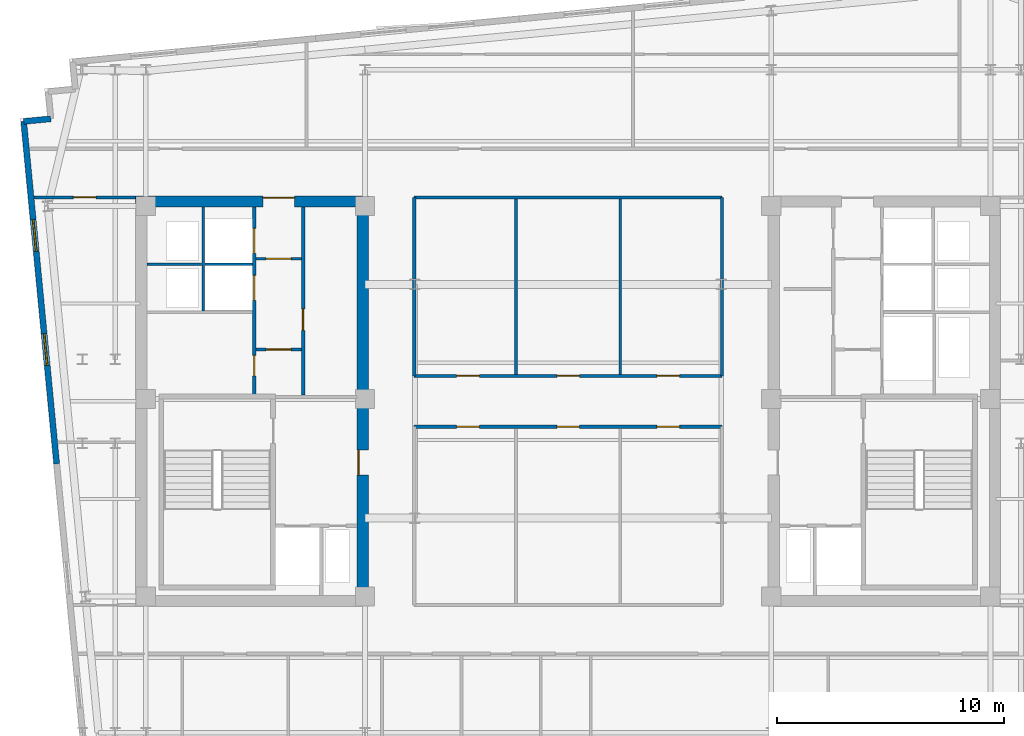
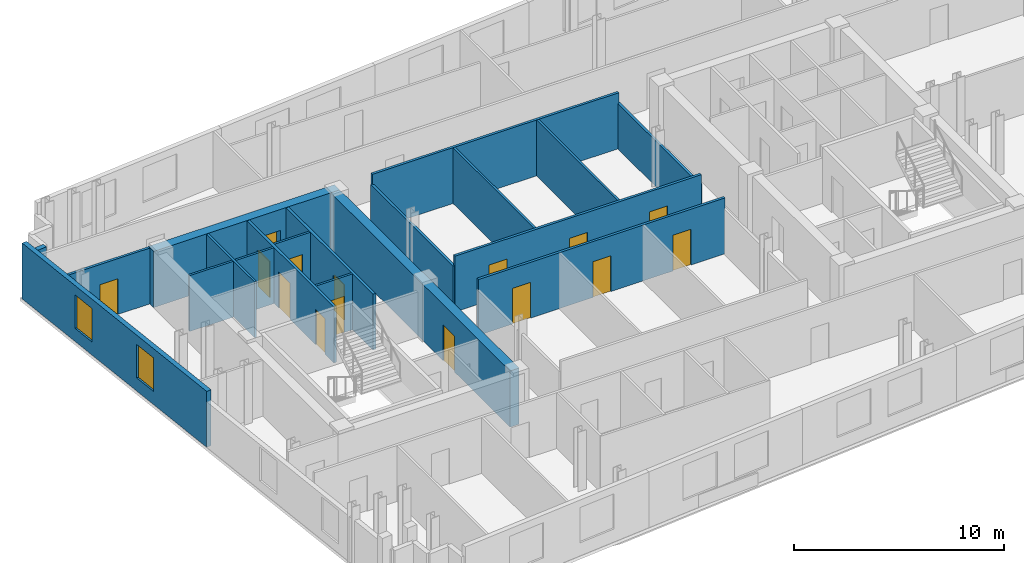
# One storey, part 4 of 9: 19 walls, 15 doors, 2 windows, 17 openings.
"""IFC4 building model written with IfcOpenShell, lengths in metres."""

from ifc_helpers import new_model, si_unit, direction, frame, frame_2d, origin, place, context, subcontext, project, spatial, rectangle, extrude, material, layer, layer_set, type_object, element, fill, save


model = new_model("IFC4")

# Units and contexts
model_context = context("Model", 3, precision=1e-05, world=origin(), true_north=direction((0.0, 1.0)))
body_context = subcontext(model_context, "Body", "Model", "MODEL_VIEW")
ifc_project = project(units=[si_unit("LENGTHUNIT", "METRE"), si_unit("AREAUNIT", "SQUARE_METRE"), si_unit("VOLUMEUNIT", "CUBIC_METRE"), si_unit("PLANEANGLEUNIT", "RADIAN"), si_unit("MASSUNIT", "GRAM", prefix="KILO")], contexts=[model_context])

# Site, building, storey
site_placement = place(None, origin())
site = spatial("IfcSite", under=ifc_project, at=site_placement, CompositionType="ELEMENT")
building_placement = place(site_placement, origin())
building = spatial("IfcBuilding", under=site, at=building_placement, Name="Velakula Bourse", CompositionType="ELEMENT")
storey_placement = place(building_placement, frame((0.0, 0.0, 275.85009765625)))
storey = spatial("IfcBuildingStorey", under=building, at=storey_placement, Name="L75", CompositionType="ELEMENT", Elevation=275.85009765625)

# Wall, opening, door
ifc_material_1 = material(Name="Concrete M50 (fck 50 MPa)", Category="concrete")
ifc_layer_1 = layer(ifc_material_1, 0.5, Name="Concrete M50 (fck 50 MPa)", Category="concrete")
ifc_layer_set_1 = layer_set([ifc_layer_1], Name="Concrete M50 (fck 50 MPa)")
wall_type_1 = type_object("IfcWallType", Name="WL-CORE-500", PredefinedType="SHEAR", material=ifc_layer_set_1)
wall_1_placement = place(storey_placement, frame((-19.050048828125, 8.800048828125, 0.0), z_axis=(0.0, 0.0, 1.0), x_axis=(1.0, 0.0, 0.0)))
wall_1 = element("IfcWall", 1, at=wall_1_placement, inside=storey, type_object=wall_type_1, Name="L75 Core W Shear Wall N", PredefinedType="SHEAR", context=body_context, shape_type="SweptSolid", body=[
    extrude(rectangle(XDim=10.25, YDim=0.5, at=frame_2d((5.125, 0.0))), origin(), (0.0, 0.0, 1.0), 3.27001953125),
])
opening_1_placement = place(wall_1_placement, frame((5.60009765625, 0.0, 0.0)))
opening_1 = element("IfcOpeningElement", 2, at=opening_1_placement, cuts=wall_1, Name="Opening D-LLW", PredefinedType="OPENING", context=body_context, shape_type="SweptSolid", body=[
    extrude(rectangle(XDim=1.39990234375, YDim=2.050048828125, at=frame_2d((0.699951171875, 1.02490234375))), frame((0.0, 0.260009765625, 0.0), z_axis=(0.0, -1.0, 0.0), x_axis=(1.0, 0.0, 0.0)), (0.0, 0.0, 1.0), 0.52001953125),
])
ifc_material_2 = material(Name="Fire-rated hardwood flush architectural door", Category="wood")
door_type_1 = type_object("IfcDoorType", Name="DR-DBL-FD60-1400", OperationType="DOUBLE_DOOR_SINGLE_SWING", PredefinedType="DOOR", material=ifc_material_2)
door_1_placement = place(opening_1_placement, origin())
door_1 = element("IfcDoor", 3, at=door_1_placement, inside=storey, type_object=door_type_1, Name="L75 Core W Lift Lobby Corridor Double Door", OperationType="DOUBLE_DOOR_SINGLE_SWING", OverallHeight=2.050048828125, OverallWidth=1.39990234375, PredefinedType="DOOR", context=body_context, shape_type="SweptSolid", body=[
    extrude(rectangle(XDim=1.39990234375, YDim=2.050048828125, at=frame_2d((0.699951171875, 1.02490234375))), frame((0.0, 0.19482421875, 0.0), z_axis=(0.0, -1.0, 0.0), x_axis=(1.0, 0.0, 0.0)), (0.0, 0.0, 1.0), 0.050048828125),
])
fill(opening_1, door_1)

wall_2_placement = place(storey_placement, frame((-9.050048828125, -8.550048828125, 0.0), z_axis=(0.0, 0.0, 1.0), x_axis=(0.0, 1.0, 0.0)))
wall_2 = element("IfcWall", 4, at=wall_2_placement, inside=storey, type_object=wall_type_1, Name="L75 Core W Shear Wall E", PredefinedType="SHEAR", context=body_context, shape_type="SweptSolid", body=[
    extrude(rectangle(XDim=17.10009765625, YDim=0.5, at=frame_2d((8.550048828125, 0.0))), origin(), (0.0, 0.0, 1.0), 3.27001953125),
])
opening_2_placement = place(wall_2_placement, frame((5.300048828125, 0.0, 0.0)))
opening_2 = element("IfcOpeningElement", 5, at=opening_2_placement, cuts=wall_2, Name="Opening D-FLW", PredefinedType="OPENING", context=body_context, shape_type="SweptSolid", body=[
    extrude(rectangle(XDim=1.10009765625, YDim=2.080078125, at=frame_2d((0.550048828125, 1.0400390625))), frame((0.0, 0.260009765625, 0.0), z_axis=(0.0, -1.0, 0.0), x_axis=(1.0, 0.0, 0.0)), (0.0, 0.0, 1.0), 0.52001953125),
])
ifc_material_3 = material(Name="Galvanised painted hollow steel fire door", Category="steel")
door_type_2 = type_object("IfcDoorType", Name="DR-FD120-1100", OperationType="NOTDEFINED", PredefinedType="DOOR", material=ifc_material_3)
door_2_placement = place(opening_2_placement, origin())
door_2 = element("IfcDoor", 6, at=door_2_placement, inside=storey, type_object=door_type_2, Name="L75 Firefighting Lobby W Corridor Fire Door", OperationType="SINGLE_SWING_LEFT", OverallHeight=2.080078125, OverallWidth=1.10009765625, PredefinedType="DOOR", context=body_context, shape_type="SweptSolid", body=[
    extrude(rectangle(XDim=1.10009765625, YDim=2.080078125, at=frame_2d((0.550048828125, 1.0400390625))), frame((0.0, 0.205078125, 0.0), z_axis=(0.0, -1.0, 0.0), x_axis=(1.0, 0.0, 0.0)), (0.0, 0.0, 1.0), 0.050048828125),
])
fill(opening_2, door_2)

# Wall, openings, windows
ifc_material_4 = material(Name="Buff kilned clay facing brick masonry", Category="masonry")
ifc_layer_2 = layer(ifc_material_4, 0.260009765625, Name="Buff kilned clay facing brick masonry", Category="masonry")
ifc_layer_set_2 = layer_set([ifc_layer_2], Name="Buff kilned clay facing brick masonry")
wall_type_2 = type_object("IfcWallType", Name="WL-EXT-BRK-260", PredefinedType="STANDARD", material=ifc_layer_set_2)
wall_3_placement = place(storey_placement, frame((-22.52734375, -2.75439453125, 0.0), z_axis=(0.0, 0.0, 1.0), x_axis=(-0.095850890337, 0.995395703638, 0.0)))
wall_3 = element("IfcWall", 7, at=wall_3_placement, inside=storey, type_object=wall_type_2, Name="L75 W Brick End Wall W2", PredefinedType="STANDARD", context=body_context, shape_type="SweptSolid", body=[
    extrude(rectangle(XDim=15.150146484375, YDim=0.260009765625, at=frame_2d((7.5751953125, 0.0))), origin(), (0.0, 0.0, 1.0), 3.25),
])
opening_3_placement = place(wall_3_placement, frame((4.35009765625, 0.0, 0.760009765625)))
opening_3 = element("IfcOpeningElement", 8, at=opening_3_placement, cuts=wall_3, Name="Opening W-03", PredefinedType="OPENING", context=body_context, shape_type="SweptSolid", body=[
    extrude(rectangle(XDim=1.39990234375, YDim=1.949951171875, at=frame_2d((0.699951171875, 0.97509765625))), frame((0.0, 0.139892578125, 0.0), z_axis=(0.0, -1.0, 0.0), x_axis=(1.0, 0.0, 0.0)), (0.0, 0.0, 1.0), 0.280029296875),
])
opening_4_placement = place(wall_3_placement, frame((9.39990234375, 0.0, 0.760009765625)))
opening_4 = element("IfcOpeningElement", 9, at=opening_4_placement, cuts=wall_3, Name="Opening W-03", PredefinedType="OPENING", context=body_context, shape_type="SweptSolid", body=[
    extrude(rectangle(XDim=1.39990234375, YDim=1.949951171875, at=frame_2d((0.699951171875, 0.97509765625))), frame((0.0, 0.139892578125, 0.0), z_axis=(0.0, -1.0, 0.0), x_axis=(1.0, 0.0, 0.0)), (0.0, 0.0, 1.0), 0.280029296875),
])
ifc_material_5 = material(Name="Double-glazed solar-control Low-E glass", Category="glass")
window_type = type_object("IfcWindowType", Name="WIN-TWR-1400x2100", PartitioningType="SINGLE_PANEL", PredefinedType="WINDOW", material=ifc_material_5)
window_1_placement = place(opening_3_placement, origin())
window_1 = element("IfcWindow", 10, at=window_1_placement, inside=storey, type_object=window_type, Name="L75 Deep-Set Recessed Window 1", OverallHeight=1.949951171875, OverallWidth=1.39990234375, PartitioningType="SINGLE_PANEL", PredefinedType="WINDOW", context=body_context, shape_type="SweptSolid", body=[
    extrude(rectangle(XDim=1.39990234375, YDim=1.949951171875, at=frame_2d((0.699951171875, 0.97509765625))), frame((0.0, 0.030029296875, 0.0), z_axis=(0.0, -1.0, 0.0), x_axis=(1.0, 0.0, 0.0)), (0.0, 0.0, 1.0), 0.06005859375),
])
fill(opening_3, window_1)
window_2_placement = place(opening_4_placement, origin())
window_2 = element("IfcWindow", 11, at=window_2_placement, inside=storey, type_object=window_type, Name="L75 Deep-Set Recessed Window 2", OverallHeight=1.949951171875, OverallWidth=1.39990234375, PartitioningType="SINGLE_PANEL", PredefinedType="WINDOW", context=body_context, shape_type="SweptSolid", body=[
    extrude(rectangle(XDim=1.39990234375, YDim=1.949951171875, at=frame_2d((0.699951171875, 0.97509765625))), frame((0.0, 0.030029296875, 0.0), z_axis=(0.0, -1.0, 0.0), x_axis=(1.0, 0.0, 0.0)), (0.0, 0.0, 1.0), 0.06005859375),
])
fill(opening_4, window_2)

# Wall
wall_4_placement = place(storey_placement, frame((-22.784912109375, 12.44091796875, 0.0), z_axis=(0.0, 0.0, 1.0), x_axis=(-0.995398960025, -0.095817067274, 0.0)))
element("IfcWall", 12, at=wall_4_placement, inside=storey, type_object=wall_type_2, Name="L75 Serrated Corner Brick Wall NW-4", PredefinedType="STANDARD", context=body_context, shape_type="SweptSolid", body=[
    extrude(rectangle(XDim=1.2001953125, YDim=0.260009765625, at=frame_2d((0.60009765625, 0.0))), origin(), (0.0, 0.0, 1.0), 2.56494140625),
])

# Wall, opening, door
ifc_material_6 = material(Name="Fire-rated double-layer gypsum drywall partition", Category="gypsum")
ifc_layer_3 = layer(ifc_material_6, 0.1201171875, Name="Fire-rated double-layer gypsum drywall partition", Category="gypsum")
ifc_layer_set_3 = layer_set([ifc_layer_3], Name="Fire-rated double-layer gypsum drywall partition")
wall_type_3 = type_object("IfcWallType", Name="WL-PART-120", PredefinedType="STANDARD", material=ifc_layer_set_3)
wall_5_placement = place(storey_placement, frame((-13.75, 2.280029296875, 0.0), z_axis=(0.0, 0.0, 1.0), x_axis=(1.0, 0.0, 0.0)))
wall_5 = element("IfcWall", 13, at=wall_5_placement, inside=storey, type_object=wall_type_3, Name="L75 Interior Partition WL-CRW-L75-LL-K3A", PredefinedType="STANDARD", context=body_context, shape_type="SweptSolid", body=[
    extrude(rectangle(XDim=2.0, YDim=0.1201171875, at=frame_2d((1.0, 0.0))), origin(), (0.0, 0.0, 1.0), 3.25),
])
opening_5_placement = place(wall_5_placement, frame((0.449951171875, 0.0, 0.0)))
opening_5 = element("IfcOpeningElement", 14, at=opening_5_placement, cuts=wall_5, Name="Opening D-LK3", PredefinedType="OPENING", context=body_context, shape_type="SweptSolid", body=[
    extrude(rectangle(XDim=1.10009765625, YDim=2.10009765625, at=frame_2d((0.550048828125, 1.050048828125))), frame((0.0, 0.070068359375, 0.0), z_axis=(0.0, -1.0, 0.0), x_axis=(1.0, 0.0, 0.0)), (0.0, 0.0, 1.0), 0.14013671875),
])
door_type_3 = type_object("IfcDoorType", Name="DR-FD60-1100x2100", OperationType="NOTDEFINED", PredefinedType="DOOR", material=ifc_material_2)
door_3_placement = place(opening_5_placement, origin())
door_3 = element("IfcDoor", 15, at=door_3_placement, inside=storey, type_object=door_type_3, Name="L75 Core W Lift Lobby Vestibule Door A", OperationType="SINGLE_SWING_RIGHT", OverallHeight=2.10009765625, OverallWidth=1.10009765625, PredefinedType="DOOR", context=body_context, shape_type="SweptSolid", body=[
    extrude(rectangle(XDim=1.10009765625, YDim=2.10009765625, at=frame_2d((0.550048828125, 1.050048828125))), frame((0.0, 0.02490234375, 0.0), z_axis=(0.0, -1.0, 0.0), x_axis=(1.0, 0.0, 0.0)), (0.0, 0.0, 1.0), 0.050048828125),
])
fill(opening_5, door_3)

wall_6_placement = place(storey_placement, frame((-13.75, 6.280029296875, 0.0), z_axis=(0.0, 0.0, 1.0), x_axis=(1.0, 0.0, 0.0)))
wall_6 = element("IfcWall", 16, at=wall_6_placement, inside=storey, type_object=wall_type_3, Name="L75 Interior Partition WL-CRW-L75-LL-K3B", PredefinedType="STANDARD", context=body_context, shape_type="SweptSolid", body=[
    extrude(rectangle(XDim=2.0, YDim=0.1201171875, at=frame_2d((1.0, 0.0))), origin(), (0.0, 0.0, 1.0), 3.25),
])
opening_6_placement = place(wall_6_placement, frame((0.449951171875, 0.0, 0.0)))
opening_6 = element("IfcOpeningElement", 17, at=opening_6_placement, cuts=wall_6, Name="Opening D-LK3", PredefinedType="OPENING", context=body_context, shape_type="SweptSolid", body=[
    extrude(rectangle(XDim=1.10009765625, YDim=2.10009765625, at=frame_2d((0.550048828125, 1.050048828125))), frame((0.0, 0.070068359375, 0.0), z_axis=(0.0, -1.0, 0.0), x_axis=(1.0, 0.0, 0.0)), (0.0, 0.0, 1.0), 0.14013671875),
])
door_4_placement = place(opening_6_placement, origin())
door_4 = element("IfcDoor", 18, at=door_4_placement, inside=storey, type_object=door_type_3, Name="L75 Core W Lift Lobby Vestibule Door B", OperationType="SINGLE_SWING_RIGHT", OverallHeight=2.10009765625, OverallWidth=1.10009765625, PredefinedType="DOOR", context=body_context, shape_type="SweptSolid", body=[
    extrude(rectangle(XDim=1.10009765625, YDim=2.10009765625, at=frame_2d((0.550048828125, 1.050048828125))), frame((0.0, 0.02490234375, 0.0), z_axis=(0.0, -1.0, 0.0), x_axis=(1.0, 0.0, 0.0)), (0.0, 0.0, 1.0), 0.050048828125),
])
fill(opening_6, door_4)

# Walls
wall_7_placement = place(storey_placement, frame((-18.550048828125, 6.030029296875, 0.0), z_axis=(0.0, 0.0, 1.0), x_axis=(1.0, 0.0, 0.0)))
element("IfcWall", 19, at=wall_7_placement, inside=storey, type_object=wall_type_3, Name="L75 Interior Partition WL-CRW-L75-RIS-MID", PredefinedType="STANDARD", context=body_context, shape_type="SweptSolid", body=[
    extrude(rectangle(XDim=2.400146484375, YDim=0.1201171875, at=frame_2d((1.2001953125, 0.0))), origin(), (0.0, 0.0, 1.0), 3.25),
])
wall_8_placement = place(storey_placement, frame((-16.074951171875, 3.97998046875, 0.0), z_axis=(0.0, 0.0, 1.0), x_axis=(0.0, 1.0, 0.0)))
element("IfcWall", 20, at=wall_8_placement, inside=storey, type_object=wall_type_3, Name="L75 Interior Partition WL-CRW-L75-RIS-F", PredefinedType="STANDARD", context=body_context, shape_type="SweptSolid", body=[
    extrude(rectangle(XDim=4.570068359375, YDim=0.1201171875, at=frame_2d((2.28515625, 0.0))), origin(), (0.0, 0.0, 1.0), 3.25),
])
wall_9_placement = place(storey_placement, frame((-16.0, 6.030029296875, 0.0), z_axis=(0.0, 0.0, 1.0), x_axis=(1.0, 0.0, 0.0)))
element("IfcWall", 21, at=wall_9_placement, inside=storey, type_object=wall_type_3, Name="L75 Interior Partition WL-CRW-L75-HI-DIV", PredefinedType="STANDARD", context=body_context, shape_type="SweptSolid", body=[
    extrude(rectangle(XDim=2.10009765625, YDim=0.1201171875, at=frame_2d((1.050048828125, 0.0))), origin(), (0.0, 0.0, 1.0), 3.25),
])

# Wall, opening, door
ifc_layer_4 = layer(ifc_material_6, 0.139892578125, Name="Fire-rated double-layer gypsum drywall partition", Category="gypsum")
ifc_layer_set_4 = layer_set([ifc_layer_4], Name="Fire-rated double-layer gypsum drywall partition")
wall_type_4 = type_object("IfcWallType", Name="WL-PART-140", PredefinedType="STANDARD", material=ifc_layer_set_4)
wall_10_placement = place(storey_placement, frame((-23.526611328125, 8.97998046875, 0.0), z_axis=(0.0, 0.0, 1.0), x_axis=(1.0, 0.0, 0.0)))
wall_10 = element("IfcWall", 22, at=wall_10_placement, inside=storey, type_object=wall_type_4, Name="L75 Interior Partition WL-INT-L75-W-NC", PredefinedType="STANDARD", context=body_context, shape_type="SweptSolid", body=[
    extrude(rectangle(XDim=4.4765625, YDim=0.139892578125, at=frame_2d((2.23828125, 0.0))), origin(), (0.0, 0.0, 1.0), 3.25),
])
opening_7_placement = place(wall_10_placement, frame((1.73828125, 0.0, 0.0)))
opening_7 = element("IfcOpeningElement", 23, at=opening_7_placement, cuts=wall_10, Name="Opening D-OF1", PredefinedType="OPENING", context=body_context, shape_type="SweptSolid", body=[
    extrude(rectangle(XDim=1.0, YDim=2.080078125, at=frame_2d((0.5, 1.0400390625))), frame((0.0, 0.079833984375, 0.0), z_axis=(0.0, -1.0, 0.0), x_axis=(1.0, 0.0, 0.0)), (0.0, 0.0, 1.0), 0.159912109375),
])
door_type_4 = type_object("IfcDoorType", Name="DR-OFF-1000", OperationType="NOTDEFINED", PredefinedType="DOOR", material=ifc_material_2)
door_5_placement = place(opening_7_placement, origin())
door_5 = element("IfcDoor", 24, at=door_5_placement, inside=storey, type_object=door_type_4, Name="L75 General Counsel Office Door", OperationType="SINGLE_SWING_RIGHT", OverallHeight=2.080078125, OverallWidth=1.0, PredefinedType="DOOR", context=body_context, shape_type="SweptSolid", body=[
    extrude(rectangle(XDim=1.0, YDim=2.080078125, at=frame_2d((0.5, 1.0400390625))), frame((0.0, 0.02490234375, 0.0), z_axis=(0.0, -1.0, 0.0), x_axis=(1.0, 0.0, 0.0)), (0.0, 0.0, 1.0), 0.050048828125),
])
fill(opening_7, door_5)

# Wall, openings, doors
wall_11_placement = place(storey_placement, frame((-6.780029296875, 1.1201171875, 0.0), z_axis=(0.0, 0.0, 1.0), x_axis=(1.0, 0.0, 0.0)))
wall_11 = element("IfcWall", 25, at=wall_11_placement, inside=storey, type_object=wall_type_4, Name="L75 Interior Partition WL-INT-L75-MN-IN", PredefinedType="STANDARD", context=body_context, shape_type="SweptSolid", body=[
    extrude(rectangle(XDim=13.56005859375, YDim=0.139892578125, at=frame_2d((6.780029296875, 0.0))), origin(), (0.0, 0.0, 1.0), 3.25),
])
opening_8_placement = place(wall_11_placement, frame((1.865966796875, 0.0, 0.0)))
opening_8 = element("IfcOpeningElement", 26, at=opening_8_placement, cuts=wall_11, Name="Opening D-OF1", PredefinedType="OPENING", context=body_context, shape_type="SweptSolid", body=[
    extrude(rectangle(XDim=1.0, YDim=2.080078125, at=frame_2d((0.5, 1.0400390625))), frame((0.0, 0.079833984375, 0.0), z_axis=(0.0, -1.0, 0.0), x_axis=(1.0, 0.0, 0.0)), (0.0, 0.0, 1.0), 0.159912109375),
])
opening_9_placement = place(wall_11_placement, frame((6.280029296875, 0.0, 0.0)))
opening_9 = element("IfcOpeningElement", 27, at=opening_9_placement, cuts=wall_11, Name="Opening D-OF1", PredefinedType="OPENING", context=body_context, shape_type="SweptSolid", body=[
    extrude(rectangle(XDim=1.0, YDim=2.080078125, at=frame_2d((0.5, 1.0400390625))), frame((0.0, 0.079833984375, 0.0), z_axis=(0.0, -1.0, 0.0), x_axis=(1.0, 0.0, 0.0)), (0.0, 0.0, 1.0), 0.159912109375),
])
opening_10_placement = place(wall_11_placement, frame((10.694091796875, 0.0, 0.0)))
opening_10 = element("IfcOpeningElement", 28, at=opening_10_placement, cuts=wall_11, Name="Opening D-OF1", PredefinedType="OPENING", context=body_context, shape_type="SweptSolid", body=[
    extrude(rectangle(XDim=1.0, YDim=2.080078125, at=frame_2d((0.5, 1.0400390625))), frame((0.0, 0.079833984375, 0.0), z_axis=(0.0, -1.0, 0.0), x_axis=(1.0, 0.0, 0.0)), (0.0, 0.0, 1.0), 0.159912109375),
])
door_6_placement = place(opening_8_placement, origin())
door_6 = element("IfcDoor", 29, at=door_6_placement, inside=storey, type_object=door_type_4, Name="L75 Asset Allocation Office Door", OperationType="SINGLE_SWING_LEFT", OverallHeight=2.080078125, OverallWidth=1.0, PredefinedType="DOOR", context=body_context, shape_type="SweptSolid", body=[
    extrude(rectangle(XDim=1.0, YDim=2.080078125, at=frame_2d((0.5, 1.0400390625))), frame((0.0, 0.02490234375, 0.0), z_axis=(0.0, -1.0, 0.0), x_axis=(1.0, 0.0, 0.0)), (0.0, 0.0, 1.0), 0.050048828125),
])
fill(opening_8, door_6)
door_7_placement = place(opening_9_placement, origin())
door_7 = element("IfcDoor", 30, at=door_7_placement, inside=storey, type_object=door_type_4, Name="L75 Chief Risk Officer Chamber Door", OperationType="SINGLE_SWING_RIGHT", OverallHeight=2.080078125, OverallWidth=1.0, PredefinedType="DOOR", context=body_context, shape_type="SweptSolid", body=[
    extrude(rectangle(XDim=1.0, YDim=2.080078125, at=frame_2d((0.5, 1.0400390625))), frame((0.0, 0.02490234375, 0.0), z_axis=(0.0, -1.0, 0.0), x_axis=(1.0, 0.0, 0.0)), (0.0, 0.0, 1.0), 0.050048828125),
])
fill(opening_9, door_7)
door_8_placement = place(opening_10_placement, origin())
door_8 = element("IfcDoor", 31, at=door_8_placement, inside=storey, type_object=door_type_4, Name="L75 Company Secretary Office Door", OperationType="SINGLE_SWING_LEFT", OverallHeight=2.080078125, OverallWidth=1.0, PredefinedType="DOOR", context=body_context, shape_type="SweptSolid", body=[
    extrude(rectangle(XDim=1.0, YDim=2.080078125, at=frame_2d((0.5, 1.0400390625))), frame((0.0, 0.02490234375, 0.0), z_axis=(0.0, -1.0, 0.0), x_axis=(1.0, 0.0, 0.0)), (0.0, 0.0, 1.0), 0.050048828125),
])
fill(opening_10, door_8)

# Walls
wall_12_placement = place(storey_placement, frame((-6.780029296875, 8.97998046875, 0.0), z_axis=(0.0, 0.0, 1.0), x_axis=(1.0, 0.0, 0.0)))
element("IfcWall", 32, at=wall_12_placement, inside=storey, type_object=wall_type_4, Name="L75 Interior Partition WL-INT-L75-MN-OUT", PredefinedType="STANDARD", context=body_context, shape_type="SweptSolid", body=[
    extrude(rectangle(XDim=13.56005859375, YDim=0.139892578125, at=frame_2d((6.780029296875, 0.0))), origin(), (0.0, 0.0, 1.0), 3.25),
])
for number, where, z_axis, x_axis, name in (
    (33, (-6.780029296875, 1.1201171875, 0.0), (0.0, 0.0, 1.0), (0.0, 1.0, 0.0), "L75 Interior Partition WL-INT-L75-MN-W"),
    (34, (6.780029296875, 1.1201171875, 0.0), (0.0, 0.0, 1.0), (0.0, 1.0, 0.0), "L75 Interior Partition WL-INT-L75-MN-E"),
):
    element("IfcWall", number, at=place(storey_placement, frame(where, z_axis=z_axis, x_axis=x_axis)), inside=storey, type_object=wall_type_4, Name=name, PredefinedType="STANDARD", context=body_context, shape_type="SweptSolid", body=[
        extrude(rectangle(XDim=7.85986328125, YDim=0.139892578125, at=frame_2d((3.929931640625, 0.0))), origin(), (0.0, 0.0, 1.0), 2.64501953125),
    ])
for number, where, z_axis, x_axis, name in (
    (35, (-2.300048828125, 1.18994140625, 0.0), (0.0, 0.0, 1.0), (0.0, 1.0, 0.0), "L75 Interior Partition WL-INT-L75-MN-V1"),
    (36, (2.300048828125, 1.18994140625, 0.0), (0.0, 0.0, 1.0), (0.0, 1.0, 0.0), "L75 Interior Partition WL-INT-L75-MN-V2"),
):
    element("IfcWall", number, at=place(storey_placement, frame(where, z_axis=z_axis, x_axis=x_axis)), inside=storey, type_object=wall_type_4, Name=name, PredefinedType="STANDARD", context=body_context, shape_type="SweptSolid", body=[
        extrude(rectangle(XDim=7.719970703125, YDim=0.1201171875, at=frame_2d((3.85986328125, 0.0))), origin(), (0.0, 0.0, 1.0), 3.25),
    ])

# Wall, openings, doors
wall_13_placement = place(storey_placement, frame((-6.780029296875, -1.1201171875, 0.0), z_axis=(0.0, 0.0, 1.0), x_axis=(1.0, 0.0, 0.0)))
wall_13 = element("IfcWall", 37, at=wall_13_placement, inside=storey, type_object=wall_type_4, Name="L75 Interior Partition WL-INT-L75-MS-IN", PredefinedType="STANDARD", context=body_context, shape_type="SweptSolid", body=[
    extrude(rectangle(XDim=13.56005859375, YDim=0.139892578125, at=frame_2d((6.780029296875, 0.0))), origin(), (0.0, 0.0, 1.0), 3.25),
])
opening_11_placement = place(wall_13_placement, frame((1.865966796875, 0.0, 0.0)))
opening_11 = element("IfcOpeningElement", 38, at=opening_11_placement, cuts=wall_13, Name="Opening D-OF1", PredefinedType="OPENING", context=body_context, shape_type="SweptSolid", body=[
    extrude(rectangle(XDim=1.0, YDim=2.080078125, at=frame_2d((0.5, 1.0400390625))), frame((0.0, 0.079833984375, 0.0), z_axis=(0.0, -1.0, 0.0), x_axis=(1.0, 0.0, 0.0)), (0.0, 0.0, 1.0), 0.159912109375),
])
opening_12_placement = place(wall_13_placement, frame((6.280029296875, 0.0, 0.0)))
opening_12 = element("IfcOpeningElement", 39, at=opening_12_placement, cuts=wall_13, Name="Opening D-OF1", PredefinedType="OPENING", context=body_context, shape_type="SweptSolid", body=[
    extrude(rectangle(XDim=1.0, YDim=2.080078125, at=frame_2d((0.5, 1.0400390625))), frame((0.0, 0.079833984375, 0.0), z_axis=(0.0, -1.0, 0.0), x_axis=(1.0, 0.0, 0.0)), (0.0, 0.0, 1.0), 0.159912109375),
])
opening_13_placement = place(wall_13_placement, frame((10.694091796875, 0.0, 0.0)))
opening_13 = element("IfcOpeningElement", 40, at=opening_13_placement, cuts=wall_13, Name="Opening D-OF1", PredefinedType="OPENING", context=body_context, shape_type="SweptSolid", body=[
    extrude(rectangle(XDim=1.0, YDim=2.080078125, at=frame_2d((0.5, 1.0400390625))), frame((0.0, 0.079833984375, 0.0), z_axis=(0.0, -1.0, 0.0), x_axis=(1.0, 0.0, 0.0)), (0.0, 0.0, 1.0), 0.159912109375),
])
door_9_placement = place(opening_11_placement, origin())
door_9 = element("IfcDoor", 41, at=door_9_placement, inside=storey, type_object=door_type_4, Name="L75 General Counsel Office Door", OperationType="SINGLE_SWING_RIGHT", OverallHeight=2.080078125, OverallWidth=1.0, PredefinedType="DOOR", context=body_context, shape_type="SweptSolid", body=[
    extrude(rectangle(XDim=1.0, YDim=2.080078125, at=frame_2d((0.5, 1.0400390625))), frame((0.0, 0.02490234375, 0.0), z_axis=(0.0, -1.0, 0.0), x_axis=(1.0, 0.0, 0.0)), (0.0, 0.0, 1.0), 0.050048828125),
])
fill(opening_11, door_9)
door_10_placement = place(opening_12_placement, origin())
door_10 = element("IfcDoor", 42, at=door_10_placement, inside=storey, type_object=door_type_4, Name="L75 Broadcast Control Office Door", OperationType="SINGLE_SWING_LEFT", OverallHeight=2.080078125, OverallWidth=1.0, PredefinedType="DOOR", context=body_context, shape_type="SweptSolid", body=[
    extrude(rectangle(XDim=1.0, YDim=2.080078125, at=frame_2d((0.5, 1.0400390625))), frame((0.0, 0.02490234375, 0.0), z_axis=(0.0, -1.0, 0.0), x_axis=(1.0, 0.0, 0.0)), (0.0, 0.0, 1.0), 0.050048828125),
])
fill(opening_12, door_10)
door_11_placement = place(opening_13_placement, origin())
door_11 = element("IfcDoor", 43, at=door_11_placement, inside=storey, type_object=door_type_4, Name="L75 Primary Dealer Office Door", OperationType="SINGLE_SWING_RIGHT", OverallHeight=2.080078125, OverallWidth=1.0, PredefinedType="DOOR", context=body_context, shape_type="SweptSolid", body=[
    extrude(rectangle(XDim=1.0, YDim=2.080078125, at=frame_2d((0.5, 1.0400390625))), frame((0.0, 0.02490234375, 0.0), z_axis=(0.0, -1.0, 0.0), x_axis=(1.0, 0.0, 0.0)), (0.0, 0.0, 1.0), 0.050048828125),
])
fill(opening_13, door_11)

# Wall, opening, door
ifc_material_7 = material(Name="Autoclaved aerated concrete blockwork masonry", Category="masonry")
ifc_layer_5 = layer(ifc_material_7, 0.14990234375, Name="Autoclaved aerated concrete blockwork masonry", Category="masonry")
ifc_layer_set_5 = layer_set([ifc_layer_5], Name="Autoclaved aerated concrete blockwork masonry")
wall_type_5 = type_object("IfcWallType", Name="WL-SHAFT-150", PredefinedType="STANDARD", material=ifc_layer_set_5)
wall_14_placement = place(storey_placement, frame((-11.675048828125, 0.27001953125, 0.0), z_axis=(0.0, 0.0, 1.0), x_axis=(0.0, 1.0, 0.0)))
wall_14 = element("IfcWall", 44, at=wall_14_placement, inside=storey, type_object=wall_type_5, Name="L75 Interior Partition WL-CRW-L75-BANK-F", PredefinedType="STANDARD", context=body_context, shape_type="SweptSolid", body=[
    extrude(rectangle(XDim=8.280029296875, YDim=0.14990234375, at=frame_2d((4.14013671875, 0.0))), origin(), (0.0, 0.0, 1.0), 3.25),
])
opening_14_placement = place(wall_14_placement, frame((2.85009765625, 0.0, 0.0)))
opening_14 = element("IfcOpeningElement", 45, at=opening_14_placement, cuts=wall_14, Name="Opening D-RC4", PredefinedType="OPENING", context=body_context, shape_type="SweptSolid", body=[
    extrude(rectangle(XDim=0.949951171875, YDim=2.050048828125, at=frame_2d((0.47509765625, 1.02490234375))), frame((0.0, 0.0849609375, 0.0), z_axis=(0.0, -1.0, 0.0), x_axis=(1.0, 0.0, 0.0)), (0.0, 0.0, 1.0), 0.169921875),
])
door_type_5 = type_object("IfcDoorType", Name="DR-FD60-950x2050", OperationType="NOTDEFINED", PredefinedType="DOOR", material=ifc_material_2)
door_12_placement = place(opening_14_placement, origin())
door_12 = element("IfcDoor", 46, at=door_12_placement, inside=storey, type_object=door_type_5, Name="L75 Reclaimed Multi-Bay Archive Room Door", OperationType="SINGLE_SWING_RIGHT", OverallHeight=2.050048828125, OverallWidth=0.949951171875, PredefinedType="DOOR", context=body_context, shape_type="SweptSolid", body=[
    extrude(rectangle(XDim=0.949951171875, YDim=2.050048828125, at=frame_2d((0.47509765625, 1.02490234375))), frame((0.0, 0.02490234375, 0.0), z_axis=(0.0, -1.0, 0.0), x_axis=(1.0, 0.0, 0.0)), (0.0, 0.0, 1.0), 0.050048828125),
])
fill(opening_14, door_12)

# Wall, openings, doors
wall_15_placement = place(storey_placement, frame((-13.824951171875, 0.27001953125, 0.0), z_axis=(0.0, 0.0, 1.0), x_axis=(0.0, 1.0, 0.0)))
wall_15 = element("IfcWall", 47, at=wall_15_placement, inside=storey, type_object=wall_type_5, Name="L75 Interior Partition WL-CRW-L75-OUT-F", PredefinedType="STANDARD", context=body_context, shape_type="SweptSolid", body=[
    extrude(rectangle(XDim=8.280029296875, YDim=0.14990234375, at=frame_2d((4.14013671875, 0.0))), origin(), (0.0, 0.0, 1.0), 3.25),
])
opening_15_placement = place(wall_15_placement, frame((4.175048828125, 0.0, 0.0)))
opening_15 = element("IfcOpeningElement", 48, at=opening_15_placement, cuts=wall_15, Name="Opening LD-P9", PredefinedType="OPENING", context=body_context, shape_type="SweptSolid", body=[
    extrude(rectangle(XDim=1.10009765625, YDim=2.10009765625, at=frame_2d((0.550048828125, 1.050048828125))), frame((0.0, 0.0849609375, 0.0), z_axis=(0.0, -1.0, 0.0), x_axis=(1.0, 0.0, 0.0)), (0.0, 0.0, 1.0), 0.169921875),
])
opening_16_placement = place(wall_15_placement, frame((6.2451171875, 0.0, 0.0)))
opening_16 = element("IfcOpeningElement", 49, at=opening_16_placement, cuts=wall_15, Name="Opening LD-P10", PredefinedType="OPENING", context=body_context, shape_type="SweptSolid", body=[
    extrude(rectangle(XDim=1.10009765625, YDim=2.10009765625, at=frame_2d((0.550048828125, 1.050048828125))), frame((0.0, 0.0849609375, 0.0), z_axis=(0.0, -1.0, 0.0), x_axis=(1.0, 0.0, 0.0)), (0.0, 0.0, 1.0), 0.169921875),
])
opening_17_placement = place(wall_15_placement, frame((0.85009765625, 0.0, 0.0)))
opening_17 = element("IfcOpeningElement", 50, at=opening_17_placement, cuts=wall_15, Name="Opening D-CR3", PredefinedType="OPENING", context=body_context, shape_type="SweptSolid", body=[
    extrude(rectangle(XDim=0.89990234375, YDim=2.050048828125, at=frame_2d((0.449951171875, 1.02490234375))), frame((0.0, 0.0849609375, 0.0), z_axis=(0.0, -1.0, 0.0), x_axis=(1.0, 0.0, 0.0)), (0.0, 0.0, 1.0), 0.169921875),
])
door_type_6 = type_object("IfcDoorType", Name="DR-INT-900", OperationType="NOTDEFINED", PredefinedType="DOOR", material=ifc_material_2)
door_13_placement = place(opening_17_placement, origin())
door_13 = element("IfcDoor", 51, at=door_13_placement, inside=storey, type_object=door_type_6, Name="L75 Core Stationery and Mail Room Door", OperationType="SINGLE_SWING_LEFT", OverallHeight=2.050048828125, OverallWidth=0.89990234375, PredefinedType="DOOR", context=body_context, shape_type="SweptSolid", body=[
    extrude(rectangle(XDim=0.89990234375, YDim=2.050048828125, at=frame_2d((0.449951171875, 1.02490234375))), frame((0.0, 0.02490234375, 0.0), z_axis=(0.0, -1.0, 0.0), x_axis=(1.0, 0.0, 0.0)), (0.0, 0.0, 1.0), 0.050048828125),
])
fill(opening_17, door_13)
ifc_material_8 = material(Name="Brushed grade 316 stainless steel", Category="steel")
door_type_7 = type_object("IfcDoorType", Name="DR-SLIDE-LD-1100", OperationType="DOUBLE_DOOR_SLIDING", PredefinedType="DOOR", material=ifc_material_8)
door_14_placement = place(opening_15_placement, origin())
door_14 = element("IfcDoor", 52, at=door_14_placement, inside=storey, type_object=door_type_7, Name="L75 Passenger Lift P9 Sliding Landing Door", OperationType="DOUBLE_DOOR_SLIDING", OverallHeight=2.10009765625, OverallWidth=1.10009765625, PredefinedType="DOOR", context=body_context, shape_type="SweptSolid", body=[
    extrude(rectangle(XDim=1.10009765625, YDim=2.10009765625, at=frame_2d((0.550048828125, 1.050048828125))), frame((0.0, 0.02490234375, 0.0), z_axis=(0.0, -1.0, 0.0), x_axis=(1.0, 0.0, 0.0)), (0.0, 0.0, 1.0), 0.050048828125),
])
fill(opening_15, door_14)
door_15_placement = place(opening_16_placement, origin())
door_15 = element("IfcDoor", 53, at=door_15_placement, inside=storey, type_object=door_type_7, Name="L75 Passenger Lift P10 Sliding Landing Door", OperationType="DOUBLE_DOOR_SLIDING", OverallHeight=2.10009765625, OverallWidth=1.10009765625, PredefinedType="DOOR", context=body_context, shape_type="SweptSolid", body=[
    extrude(rectangle(XDim=1.10009765625, YDim=2.10009765625, at=frame_2d((0.550048828125, 1.050048828125))), frame((0.0, 0.02490234375, 0.0), z_axis=(0.0, -1.0, 0.0), x_axis=(1.0, 0.0, 0.0)), (0.0, 0.0, 1.0), 0.050048828125),
])
fill(opening_16, door_15)

save(model, "model.ifc")
